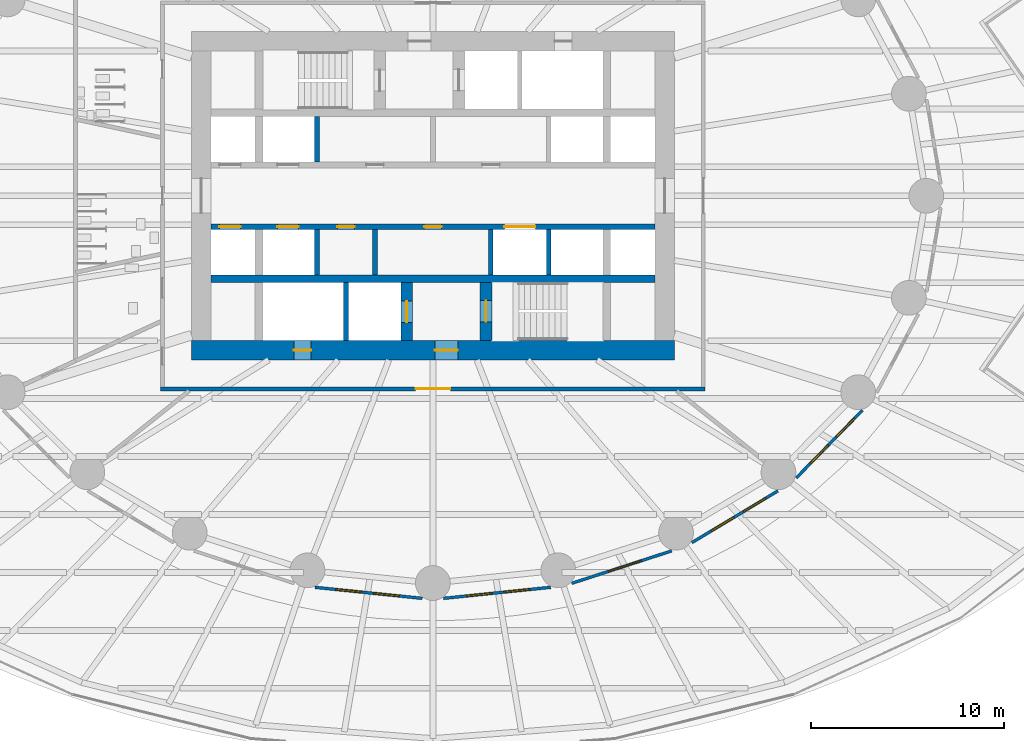
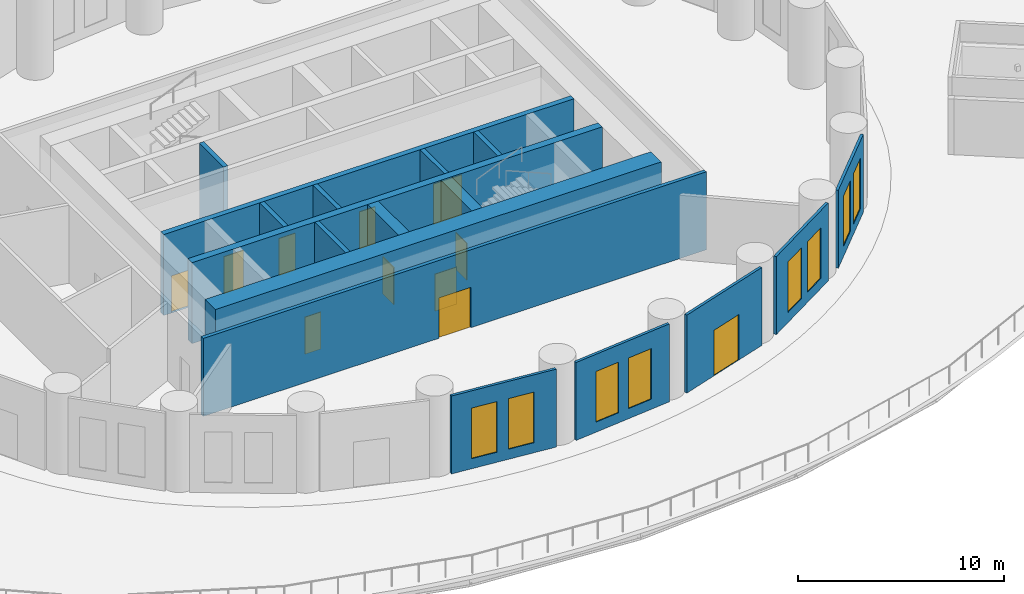
# One storey, part 8 of 17: 17 walls, 11 doors, 8 windows, 19 openings.
"""IFC4 building model written with IfcOpenShell, lengths in metres."""

from ifc_helpers import new_model, si_unit, direction, frame, frame_2d, origin, place, context, subcontext, project, spatial, rectangle, extrude, material, layer, layer_set, type_object, element, fill, save


model = new_model("IFC4")

# Units and contexts
model_context = context("Model", 3, precision=1e-05, world=origin(), true_north=direction((0.0, 1.0)))
body_context = subcontext(model_context, "Body", "Model", "MODEL_VIEW")
ifc_project = project(units=[si_unit("LENGTHUNIT", "METRE"), si_unit("AREAUNIT", "SQUARE_METRE"), si_unit("VOLUMEUNIT", "CUBIC_METRE"), si_unit("PLANEANGLEUNIT", "RADIAN"), si_unit("MASSUNIT", "GRAM", prefix="KILO")], contexts=[model_context])

# Site, building, storey
site_placement = place(None, origin())
site = spatial("IfcSite", under=ifc_project, at=site_placement, CompositionType="ELEMENT")
building_placement = place(site_placement, origin())
building = spatial("IfcBuilding", under=site, at=building_placement, Name="Hankou Lantern Tower", CompositionType="ELEMENT")
storey_placement = place(building_placement, frame((0.0, 0.0, 24.60009765625)))
storey = spatial("IfcBuildingStorey", under=building, at=storey_placement, Name="L04", CompositionType="ELEMENT", Elevation=24.60009765625)

# Wall, openings, doors
ifc_material_1 = material(Name="Concrete C60", Category="concrete")
ifc_layer_1 = layer(ifc_material_1, 1.0)
ifc_layer_set_1 = layer_set([ifc_layer_1], Name="Concrete C60")
wall_type_1 = type_object("IfcWallType", Name="CW1 CORE WALL 1000", PredefinedType="SHEAR", material=ifc_layer_set_1)
wall_1_placement = place(storey_placement, frame((12.5, -8.0, 0.0), z_axis=(0.0, 0.0, 1.0), x_axis=(-1.0, 0.0, 0.0)))
wall_1 = element("IfcWall", 1, at=wall_1_placement, inside=storey, type_object=wall_type_1, Name="Core wall south L04", PredefinedType="SHEAR", context=body_context, shape_type="SweptSolid", body=[
    extrude(rectangle(XDim=25.0, YDim=1.0, at=frame_2d((12.5, 0.0))), origin(), (0.0, 0.0, 1.0), 4.7998046875),
])
opening_1_placement = place(wall_1_placement, frame((11.199951171875, 0.0, 0.0)))
opening_1 = element("IfcOpeningElement", 2, at=opening_1_placement, cuts=wall_1, Name="Opening D5", PredefinedType="OPENING", context=body_context, shape_type="SweptSolid", body=[
    extrude(rectangle(XDim=1.199951171875, YDim=2.199951171875, at=frame_2d((0.60009765625, 1.10009765625))), frame((0.0, 0.510009765625, 0.0), z_axis=(0.0, -1.0, 0.0), x_axis=(1.0, 0.0, 0.0)), (0.0, 0.0, 1.0), 1.02001953125),
])
opening_2_placement = place(wall_1_placement, frame((18.800048828125, 0.0, 0.0)))
opening_2 = element("IfcOpeningElement", 3, at=opening_2_placement, cuts=wall_1, Name="Opening D7", PredefinedType="OPENING", context=body_context, shape_type="SweptSolid", body=[
    extrude(rectangle(XDim=0.89990234375, YDim=2.199951171875, at=frame_2d((0.449951171875, 1.10009765625))), frame((0.0, 0.510009765625, 0.0), z_axis=(0.0, -1.0, 0.0), x_axis=(1.0, 0.0, 0.0)), (0.0, 0.0, 1.0), 1.02001953125),
])
ifc_material_2 = material(Name="Steel door leaf", Category="steel")
door_type_1 = type_object("IfcDoorType", Name="D5 STAIR LOBBY DOOR 1200X2200", OperationType="SINGLE_SWING_LEFT", PredefinedType="DOOR", material=ifc_material_2)
door_1_placement = place(opening_1_placement, origin())
door_1 = element("IfcDoor", 4, at=door_1_placement, inside=storey, type_object=door_type_1, Name="Stair B lobby door", OperationType="SINGLE_SWING_LEFT", OverallHeight=2.199951171875, OverallWidth=1.199951171875, PredefinedType="DOOR", context=body_context, shape_type="SweptSolid", body=[
    extrude(rectangle(XDim=1.199951171875, YDim=2.199951171875, at=frame_2d((0.60009765625, 1.10009765625))), frame((0.0, 0.02490234375, 0.0), z_axis=(0.0, -1.0, 0.0), x_axis=(1.0, 0.0, 0.0)), (0.0, 0.0, 1.0), 0.050048828125),
])
fill(opening_1, door_1)
ifc_material_3 = material(Name="Steel door leaf", Category="steel")
door_type_2 = type_object("IfcDoorType", Name="D7 RISER DOOR 900X2200", OperationType="SINGLE_SWING_LEFT", PredefinedType="DOOR", material=ifc_material_3)
door_2_placement = place(opening_2_placement, origin())
door_2 = element("IfcDoor", 5, at=door_2_placement, inside=storey, type_object=door_type_2, Name="Riser S1 door", OperationType="SINGLE_SWING_RIGHT", OverallHeight=2.199951171875, OverallWidth=0.89990234375, PredefinedType="DOOR", context=body_context, shape_type="SweptSolid", body=[
    extrude(rectangle(XDim=0.89990234375, YDim=2.199951171875, at=frame_2d((0.449951171875, 1.10009765625))), frame((0.0, 0.02490234375, 0.0), z_axis=(0.0, -1.0, 0.0), x_axis=(1.0, 0.0, 0.0)), (0.0, 0.0, 1.0), 0.050048828125),
])
fill(opening_2, door_2)

# Wall
ifc_material_4 = material(Name="Concrete C60", Category="concrete")
ifc_layer_2 = layer(ifc_material_4, 0.39990234375)
ifc_layer_set_2 = layer_set([ifc_layer_2], Name="Concrete C60")
wall_type_2 = type_object("IfcWallType", Name="CW4 CORE CROSS WALL 400", PredefinedType="SHEAR", material=ifc_layer_set_2)
wall_2_placement = place(storey_placement, frame((-11.5, -4.300048828125, 0.0), z_axis=(0.0, 0.0, 1.0), x_axis=(1.0, 0.0, 0.0)))
element("IfcWall", 6, at=wall_2_placement, inside=storey, type_object=wall_type_2, Name="Core band wall south L04", PredefinedType="SHEAR", context=body_context, shape_type="SweptSolid", body=[
    extrude(rectangle(XDim=23.0, YDim=0.39990234375, at=frame_2d((11.5, 0.0))), origin(), (0.0, 0.0, 1.0), 4.7998046875),
])

# Wall, openings, doors
ifc_material_5 = material(Name="Concrete C60", Category="concrete")
ifc_layer_3 = layer(ifc_material_5, 0.300048828125)
ifc_layer_set_3 = layer_set([ifc_layer_3], Name="Concrete C60")
wall_type_3 = type_object("IfcWallType", Name="CW5 LIFT LOBBY WALL 300", PredefinedType="SHEAR", material=ifc_layer_set_3)
wall_3_placement = place(storey_placement, frame((-11.5, -1.60009765625, 0.0), z_axis=(0.0, 0.0, 1.0), x_axis=(1.0, 0.0, 0.0)))
wall_3 = element("IfcWall", 7, at=wall_3_placement, inside=storey, type_object=wall_type_3, Name="Lift lobby wall south L04", PredefinedType="SHEAR", context=body_context, shape_type="SweptSolid", body=[
    extrude(rectangle(XDim=23.0, YDim=0.300048828125, at=frame_2d((11.5, 0.0))), origin(), (0.0, 0.0, 1.0), 4.7998046875),
])
opening_3_placement = place(wall_3_placement, frame((0.449951171875, 0.0, 0.0)))
opening_3 = element("IfcOpeningElement", 8, at=opening_3_placement, cuts=wall_3, Name="Opening LD1", PredefinedType="OPENING", context=body_context, shape_type="SweptSolid", body=[
    extrude(rectangle(XDim=1.10009765625, YDim=2.199951171875, at=frame_2d((0.550048828125, 1.10009765625))), frame((0.0, 0.159912109375, 0.0), z_axis=(0.0, -1.0, 0.0), x_axis=(1.0, 0.0, 0.0)), (0.0, 0.0, 1.0), 0.320068359375),
])
opening_4_placement = place(wall_3_placement, frame((3.449951171875, 0.0, 0.0)))
opening_4 = element("IfcOpeningElement", 9, at=opening_4_placement, cuts=wall_3, Name="Opening LD1", PredefinedType="OPENING", context=body_context, shape_type="SweptSolid", body=[
    extrude(rectangle(XDim=1.10009765625, YDim=2.199951171875, at=frame_2d((0.550048828125, 1.10009765625))), frame((0.0, 0.159912109375, 0.0), z_axis=(0.0, -1.0, 0.0), x_axis=(1.0, 0.0, 0.0)), (0.0, 0.0, 1.0), 0.320068359375),
])
opening_5_placement = place(wall_3_placement, frame((15.199951171875, 0.0, 0.0)))
opening_5 = element("IfcOpeningElement", 10, at=opening_5_placement, cuts=wall_3, Name="Opening LD4", PredefinedType="OPENING", context=body_context, shape_type="SweptSolid", body=[
    extrude(rectangle(XDim=1.60009765625, YDim=2.39990234375, at=frame_2d((0.800048828125, 1.199951171875))), frame((0.0, 0.159912109375, 0.0), z_axis=(0.0, -1.0, 0.0), x_axis=(1.0, 0.0, 0.0)), (0.0, 0.0, 1.0), 0.320068359375),
])
opening_6_placement = place(wall_3_placement, frame((6.550048828125, 0.0, 0.0)))
opening_6 = element("IfcOpeningElement", 11, at=opening_6_placement, cuts=wall_3, Name="Opening D30", PredefinedType="OPENING", context=body_context, shape_type="SweptSolid", body=[
    extrude(rectangle(XDim=0.89990234375, YDim=2.199951171875, at=frame_2d((0.449951171875, 1.10009765625))), frame((0.0, 0.159912109375, 0.0), z_axis=(0.0, -1.0, 0.0), x_axis=(1.0, 0.0, 0.0)), (0.0, 0.0, 1.0), 0.320068359375),
])
opening_7_placement = place(wall_3_placement, frame((11.050048828125, 0.0, 0.0)))
opening_7 = element("IfcOpeningElement", 12, at=opening_7_placement, cuts=wall_3, Name="Opening D30", PredefinedType="OPENING", context=body_context, shape_type="SweptSolid", body=[
    extrude(rectangle(XDim=0.89990234375, YDim=2.199951171875, at=frame_2d((0.449951171875, 1.10009765625))), frame((0.0, 0.159912109375, 0.0), z_axis=(0.0, -1.0, 0.0), x_axis=(1.0, 0.0, 0.0)), (0.0, 0.0, 1.0), 0.320068359375),
])
ifc_material_6 = material(Name="Steel door leaf", Category="steel")
door_type_3 = type_object("IfcDoorType", Name="D30 CORE ROOM DOOR 900X2200", OperationType="SINGLE_SWING_LEFT", PredefinedType="DOOR", material=ifc_material_6)
door_3_placement = place(opening_6_placement, origin())
door_3 = element("IfcDoor", 13, at=door_3_placement, inside=storey, type_object=door_type_3, Name="Cleaner's store door", OperationType="SINGLE_SWING_LEFT", OverallHeight=2.199951171875, OverallWidth=0.89990234375, PredefinedType="DOOR", context=body_context, shape_type="SweptSolid", body=[
    extrude(rectangle(XDim=0.89990234375, YDim=2.199951171875, at=frame_2d((0.449951171875, 1.10009765625))), frame((0.0, 0.02490234375, 0.0), z_axis=(0.0, -1.0, 0.0), x_axis=(1.0, 0.0, 0.0)), (0.0, 0.0, 1.0), 0.050048828125),
])
fill(opening_6, door_3)
door_4_placement = place(opening_7_placement, origin())
door_4 = element("IfcDoor", 14, at=door_4_placement, inside=storey, type_object=door_type_3, Name="IT and telecoms room door", OperationType="SINGLE_SWING_LEFT", OverallHeight=2.199951171875, OverallWidth=0.89990234375, PredefinedType="DOOR", context=body_context, shape_type="SweptSolid", body=[
    extrude(rectangle(XDim=0.89990234375, YDim=2.199951171875, at=frame_2d((0.449951171875, 1.10009765625))), frame((0.0, 0.02490234375, 0.0), z_axis=(0.0, -1.0, 0.0), x_axis=(1.0, 0.0, 0.0)), (0.0, 0.0, 1.0), 0.050048828125),
])
fill(opening_7, door_4)
ifc_material_7 = material(Name="Steel door leaf", Category="steel")
door_type_4 = type_object("IfcDoorType", Name="LD1 LIFT LANDING DOOR 1100X2200", OperationType="DOUBLE_DOOR_SLIDING", PredefinedType="DOOR", material=ifc_material_7)
door_5_placement = place(opening_3_placement, origin())
door_5 = element("IfcDoor", 15, at=door_5_placement, inside=storey, type_object=door_type_4, Name="Lift L3 landing door", OperationType="DOUBLE_DOOR_SLIDING", OverallHeight=2.199951171875, OverallWidth=1.10009765625, PredefinedType="DOOR", context=body_context, shape_type="SweptSolid", body=[
    extrude(rectangle(XDim=1.10009765625, YDim=2.199951171875, at=frame_2d((0.550048828125, 1.10009765625))), frame((0.0, 0.02490234375, 0.0), z_axis=(0.0, -1.0, 0.0), x_axis=(1.0, 0.0, 0.0)), (0.0, 0.0, 1.0), 0.050048828125),
])
fill(opening_3, door_5)
door_6_placement = place(opening_4_placement, origin())
door_6 = element("IfcDoor", 16, at=door_6_placement, inside=storey, type_object=door_type_4, Name="Lift L4 landing door", OperationType="DOUBLE_DOOR_SLIDING", OverallHeight=2.199951171875, OverallWidth=1.10009765625, PredefinedType="DOOR", context=body_context, shape_type="SweptSolid", body=[
    extrude(rectangle(XDim=1.10009765625, YDim=2.199951171875, at=frame_2d((0.550048828125, 1.10009765625))), frame((0.0, 0.02490234375, 0.0), z_axis=(0.0, -1.0, 0.0), x_axis=(1.0, 0.0, 0.0)), (0.0, 0.0, 1.0), 0.050048828125),
])
fill(opening_4, door_6)
ifc_material_8 = material(Name="Steel door leaf", Category="steel")
door_type_5 = type_object("IfcDoorType", Name="LD4 SERVICE LIFT LANDING DOOR 1600X2400", OperationType="DOUBLE_DOOR_SLIDING", PredefinedType="DOOR", material=ifc_material_8)
door_7_placement = place(opening_5_placement, origin())
door_7 = element("IfcDoor", 17, at=door_7_placement, inside=storey, type_object=door_type_5, Name="Lift SV1 landing door", OperationType="DOUBLE_DOOR_SLIDING", OverallHeight=2.39990234375, OverallWidth=1.60009765625, PredefinedType="DOOR", context=body_context, shape_type="SweptSolid", body=[
    extrude(rectangle(XDim=1.60009765625, YDim=2.39990234375, at=frame_2d((0.800048828125, 1.199951171875))), frame((0.0, 0.02490234375, 0.0), z_axis=(0.0, -1.0, 0.0), x_axis=(1.0, 0.0, 0.0)), (0.0, 0.0, 1.0), 0.050048828125),
])
fill(opening_5, door_7)

# Wall, opening, door
ifc_material_9 = material(Name="Concrete C60", Category="concrete")
ifc_layer_4 = layer(ifc_material_9, 0.60009765625)
ifc_layer_set_4 = layer_set([ifc_layer_4], Name="Concrete C60")
wall_type_4 = type_object("IfcWallType", Name="CW6 STAIR AND SHAFT WALL 600", PredefinedType="SHEAR", material=ifc_layer_set_4)
wall_4_placement = place(storey_placement, frame((2.75, -7.5, 0.0), z_axis=(0.0, 0.0, 1.0), x_axis=(0.0, 1.0, 0.0)))
wall_4 = element("IfcWall", 18, at=wall_4_placement, inside=storey, type_object=wall_type_4, Name="Stair wall L04", PredefinedType="SHEAR", context=body_context, shape_type="SweptSolid", body=[
    extrude(rectangle(XDim=3.0, YDim=0.60009765625, at=frame_2d((1.5, 0.0))), origin(), (0.0, 0.0, 1.0), 4.7998046875),
])
opening_8_placement = place(wall_4_placement, frame((0.97509765625, 0.0, 0.0)))
opening_8 = element("IfcOpeningElement", 19, at=opening_8_placement, cuts=wall_4, Name="Opening D4", PredefinedType="OPENING", context=body_context, shape_type="SweptSolid", body=[
    extrude(rectangle(XDim=1.10009765625, YDim=2.199951171875, at=frame_2d((0.550048828125, 1.10009765625))), frame((0.0, 0.31005859375, 0.0), z_axis=(0.0, -1.0, 0.0), x_axis=(1.0, 0.0, 0.0)), (0.0, 0.0, 1.0), 0.6201171875),
])
ifc_material_10 = material(Name="Steel door leaf", Category="steel")
door_type_6 = type_object("IfcDoorType", Name="D4 STAIR DOOR 1100X2200", OperationType="SINGLE_SWING_LEFT", PredefinedType="DOOR", material=ifc_material_10)
door_8_placement = place(opening_8_placement, origin())
door_8 = element("IfcDoor", 20, at=door_8_placement, inside=storey, type_object=door_type_6, Name="Stair B door", OperationType="SINGLE_SWING_RIGHT", OverallHeight=2.199951171875, OverallWidth=1.10009765625, PredefinedType="DOOR", context=body_context, shape_type="SweptSolid", body=[
    extrude(rectangle(XDim=1.10009765625, YDim=2.199951171875, at=frame_2d((0.550048828125, 1.10009765625))), frame((0.0, 0.02490234375, 0.0), z_axis=(0.0, -1.0, 0.0), x_axis=(1.0, 0.0, 0.0)), (0.0, 0.0, 1.0), 0.050048828125),
])
fill(opening_8, door_8)

wall_5_placement = place(storey_placement, frame((-1.35009765625, -7.5, 0.0), z_axis=(0.0, 0.0, 1.0), x_axis=(0.0, 1.0, 0.0)))
wall_5 = element("IfcWall", 21, at=wall_5_placement, inside=storey, type_object=wall_type_4, Name="Firefighting lift shaft wall L04", PredefinedType="SHEAR", context=body_context, shape_type="SweptSolid", body=[
    extrude(rectangle(XDim=3.0, YDim=0.60009765625, at=frame_2d((1.5, 0.0))), origin(), (0.0, 0.0, 1.0), 4.7998046875),
])
opening_9_placement = place(wall_5_placement, frame((0.949951171875, 0.0, 0.0)))
opening_9 = element("IfcOpeningElement", 22, at=opening_9_placement, cuts=wall_5, Name="Opening LD2", PredefinedType="OPENING", context=body_context, shape_type="SweptSolid", body=[
    extrude(rectangle(XDim=1.10009765625, YDim=2.199951171875, at=frame_2d((0.550048828125, 1.10009765625))), frame((0.0, 0.31005859375, 0.0), z_axis=(0.0, -1.0, 0.0), x_axis=(1.0, 0.0, 0.0)), (0.0, 0.0, 1.0), 0.6201171875),
])
ifc_material_11 = material(Name="Steel door leaf", Category="steel")
door_type_7 = type_object("IfcDoorType", Name="LD2 FIREFIGHTING LIFT LANDING DOOR 1100X2200", OperationType="DOUBLE_DOOR_SLIDING", PredefinedType="DOOR", material=ifc_material_11)
door_9_placement = place(opening_9_placement, origin())
door_9 = element("IfcDoor", 23, at=door_9_placement, inside=storey, type_object=door_type_7, Name="Firefighting lift FL2 landing door", OperationType="DOUBLE_DOOR_SLIDING", OverallHeight=2.199951171875, OverallWidth=1.10009765625, PredefinedType="DOOR", context=body_context, shape_type="SweptSolid", body=[
    extrude(rectangle(XDim=1.10009765625, YDim=2.199951171875, at=frame_2d((0.550048828125, 1.10009765625))), frame((0.0, 0.02490234375, 0.0), z_axis=(0.0, -1.0, 0.0), x_axis=(1.0, 0.0, 0.0)), (0.0, 0.0, 1.0), 0.050048828125),
])
fill(opening_9, door_9)

# Wall, openings, windows
ifc_material_12 = material(Name="Aluminium spandrel panel on steel studs", Category="steel")
ifc_layer_5 = layer(ifc_material_12, 0.14990234375)
ifc_layer_set_5 = layer_set([ifc_layer_5], Name="Aluminium spandrel panel on steel studs")
wall_type_5 = type_object("IfcWallType", Name="EW1 INNER SKIN WALL 150", PredefinedType="ELEMENTEDWALL", material=ifc_layer_set_5)
wall_6_placement = place(storey_placement, frame((-6.09765625, -20.27099609375, 0.0), z_axis=(0.0, 0.0, 1.0), x_axis=(0.994723735084, -0.102589915983, 0.0)))
wall_6 = element("IfcWall", 24, at=wall_6_placement, inside=storey, type_object=wall_type_5, Name="Inner skin R18-R19 L04", PredefinedType="ELEMENTEDWALL", context=body_context, shape_type="SweptSolid", body=[
    extrude(rectangle(XDim=5.575927734375, YDim=0.14990234375, at=frame_2d((2.7880859375, 0.0))), origin(), (0.0, 0.0, 1.0), 4.619873046875),
])
opening_10_placement = place(wall_6_placement, frame((1.078857421875, 0.0, 0.60009765625)))
opening_10 = element("IfcOpeningElement", 25, at=opening_10_placement, cuts=wall_6, Name="Opening W5", PredefinedType="OPENING", context=body_context, shape_type="SweptSolid", body=[
    extrude(rectangle(XDim=1.35009765625, YDim=3.0, at=frame_2d((0.675048828125, 1.5))), frame((0.0, 0.0849609375, 0.0), z_axis=(0.0, -1.0, 0.0), x_axis=(1.0, 0.0, 0.0)), (0.0, 0.0, 1.0), 0.169921875),
])
opening_11_placement = place(wall_6_placement, frame((3.02880859375, 0.0, 0.60009765625)))
opening_11 = element("IfcOpeningElement", 26, at=opening_11_placement, cuts=wall_6, Name="Opening W5", PredefinedType="OPENING", context=body_context, shape_type="SweptSolid", body=[
    extrude(rectangle(XDim=1.35009765625, YDim=3.0, at=frame_2d((0.675048828125, 1.5))), frame((0.0, 0.0849609375, 0.0), z_axis=(0.0, -1.0, 0.0), x_axis=(1.0, 0.0, 0.0)), (0.0, 0.0, 1.0), 0.169921875),
])
ifc_material_13 = material(Name="Aluminium framed double glazed window", Category="aluminium")
window_type = type_object("IfcWindowType", Name="W5 AMENITY WINDOW 1350X3000", PartitioningType="DOUBLE_PANEL_VERTICAL", PredefinedType="WINDOW", material=ifc_material_13)
window_1_placement = place(opening_10_placement, origin())
window_1 = element("IfcWindow", 27, at=window_1_placement, inside=storey, type_object=window_type, Name="Window R18.1 L04", OverallHeight=3.0, OverallWidth=1.35009765625, PartitioningType="SINGLE_PANEL", PredefinedType="WINDOW", context=body_context, shape_type="SweptSolid", body=[
    extrude(rectangle(XDim=1.35009765625, YDim=3.0, at=frame_2d((0.675048828125, 1.5))), frame((0.0, 0.030029296875, 0.0), z_axis=(0.0, -1.0, 0.0), x_axis=(1.0, 0.0, 0.0)), (0.0, 0.0, 1.0), 0.06005859375),
])
fill(opening_10, window_1)
window_2_placement = place(opening_11_placement, origin())
window_2 = element("IfcWindow", 28, at=window_2_placement, inside=storey, type_object=window_type, Name="Window R18.2 L04", OverallHeight=3.0, OverallWidth=1.35009765625, PartitioningType="SINGLE_PANEL", PredefinedType="WINDOW", context=body_context, shape_type="SweptSolid", body=[
    extrude(rectangle(XDim=1.35009765625, YDim=3.0, at=frame_2d((0.675048828125, 1.5))), frame((0.0, 0.030029296875, 0.0), z_axis=(0.0, -1.0, 0.0), x_axis=(1.0, 0.0, 0.0)), (0.0, 0.0, 1.0), 0.06005859375),
])
fill(opening_11, window_2)

wall_7_placement = place(storey_placement, frame((0.55126953125, -20.843017578125, 0.0), z_axis=(0.0, 0.0, 1.0), x_axis=(0.994723735084, 0.102589915983, 0.0)))
wall_7 = element("IfcWall", 29, at=wall_7_placement, inside=storey, type_object=wall_type_5, Name="Inner skin R19-R20 L04", PredefinedType="ELEMENTEDWALL", context=body_context, shape_type="SweptSolid", body=[
    extrude(rectangle(XDim=5.575927734375, YDim=0.14990234375, at=frame_2d((2.7880859375, 0.0))), origin(), (0.0, 0.0, 1.0), 4.619873046875),
])
opening_12_placement = place(wall_7_placement, frame((1.19677734375, 0.0, 0.60009765625)))
opening_12 = element("IfcOpeningElement", 30, at=opening_12_placement, cuts=wall_7, Name="Opening W5", PredefinedType="OPENING", context=body_context, shape_type="SweptSolid", body=[
    extrude(rectangle(XDim=1.35009765625, YDim=3.0, at=frame_2d((0.675048828125, 1.5))), frame((0.0, 0.0849609375, 0.0), z_axis=(0.0, -1.0, 0.0), x_axis=(1.0, 0.0, 0.0)), (0.0, 0.0, 1.0), 0.169921875),
])
opening_13_placement = place(wall_7_placement, frame((3.146728515625, 0.0, 0.60009765625)))
opening_13 = element("IfcOpeningElement", 31, at=opening_13_placement, cuts=wall_7, Name="Opening W5", PredefinedType="OPENING", context=body_context, shape_type="SweptSolid", body=[
    extrude(rectangle(XDim=1.35009765625, YDim=3.0, at=frame_2d((0.675048828125, 1.5))), frame((0.0, 0.0849609375, 0.0), z_axis=(0.0, -1.0, 0.0), x_axis=(1.0, 0.0, 0.0)), (0.0, 0.0, 1.0), 0.169921875),
])
window_3_placement = place(opening_12_placement, origin())
window_3 = element("IfcWindow", 32, at=window_3_placement, inside=storey, type_object=window_type, Name="Window R19.1 L04", OverallHeight=3.0, OverallWidth=1.35009765625, PartitioningType="SINGLE_PANEL", PredefinedType="WINDOW", context=body_context, shape_type="SweptSolid", body=[
    extrude(rectangle(XDim=1.35009765625, YDim=3.0, at=frame_2d((0.675048828125, 1.5))), frame((0.0, 0.030029296875, 0.0), z_axis=(0.0, -1.0, 0.0), x_axis=(1.0, 0.0, 0.0)), (0.0, 0.0, 1.0), 0.06005859375),
])
fill(opening_12, window_3)
window_4_placement = place(opening_13_placement, origin())
window_4 = element("IfcWindow", 33, at=window_4_placement, inside=storey, type_object=window_type, Name="Window R19.2 L04", OverallHeight=3.0, OverallWidth=1.35009765625, PartitioningType="SINGLE_PANEL", PredefinedType="WINDOW", context=body_context, shape_type="SweptSolid", body=[
    extrude(rectangle(XDim=1.35009765625, YDim=3.0, at=frame_2d((0.675048828125, 1.5))), frame((0.0, 0.030029296875, 0.0), z_axis=(0.0, -1.0, 0.0), x_axis=(1.0, 0.0, 0.0)), (0.0, 0.0, 1.0), 0.06005859375),
])
fill(opening_13, window_4)

# Wall, opening, door
wall_8_placement = place(storey_placement, frame((7.188232421875, -20.06494140625, 0.0), z_axis=(0.0, 0.0, 1.0), x_axis=(0.951138486029, 0.308764603532, 0.0)))
wall_8 = element("IfcWall", 34, at=wall_8_placement, inside=storey, type_object=wall_type_5, Name="Inner skin R20-R21 L04", PredefinedType="ELEMENTEDWALL", context=body_context, shape_type="SweptSolid", body=[
    extrude(rectangle(XDim=5.444091796875, YDim=0.14990234375, at=frame_2d((2.72216796875, 0.0))), origin(), (0.0, 0.0, 1.0), 4.619873046875),
])
opening_14_placement = place(wall_8_placement, frame((1.984130859375, 0.0, 0.0)))
opening_14 = element("IfcOpeningElement", 35, at=opening_14_placement, cuts=wall_8, Name="Opening D17", PredefinedType="OPENING", context=body_context, shape_type="SweptSolid", body=[
    extrude(rectangle(XDim=1.800048828125, YDim=2.699951171875, at=frame_2d((0.89990234375, 1.35009765625))), frame((0.0, 0.0849609375, 0.0), z_axis=(0.0, -1.0, 0.0), x_axis=(1.0, 0.0, 0.0)), (0.0, 0.0, 1.0), 0.169921875),
])
ifc_material_14 = material(Name="Aluminium framed glazed door", Category="aluminium")
door_type_8 = type_object("IfcDoorType", Name="D17 TERRACE DOOR 1800X2700", OperationType="DOUBLE_DOOR_DOUBLE_SWING", PredefinedType="DOOR", material=ifc_material_14)
door_10_placement = place(opening_14_placement, origin())
door_10 = element("IfcDoor", 36, at=door_10_placement, inside=storey, type_object=door_type_8, Name="Terrace door R20", OperationType="DOUBLE_DOOR_DOUBLE_SWING", OverallHeight=2.699951171875, OverallWidth=1.800048828125, PredefinedType="DOOR", context=body_context, shape_type="SweptSolid", body=[
    extrude(rectangle(XDim=1.800048828125, YDim=2.699951171875, at=frame_2d((0.89990234375, 1.35009765625))), frame((0.0, 0.02490234375, 0.0), z_axis=(0.0, -1.0, 0.0), x_axis=(1.0, 0.0, 0.0)), (0.0, 0.0, 1.0), 0.050048828125),
])
fill(opening_14, door_10)

# Wall, openings, windows
wall_9_placement = place(storey_placement, frame((13.412109375, -17.957275390625, 0.0), z_axis=(0.0, 0.0, 1.0), x_axis=(0.856958191554, 0.515385931054, 0.0)))
wall_9 = element("IfcWall", 37, at=wall_9_placement, inside=storey, type_object=wall_type_5, Name="Inner skin R21-R22 L04", PredefinedType="ELEMENTEDWALL", context=body_context, shape_type="SweptSolid", body=[
    extrude(rectangle(XDim=5.201171875, YDim=0.14990234375, at=frame_2d((2.6005859375, 0.0))), origin(), (0.0, 0.0, 1.0), 4.619873046875),
])
opening_15_placement = place(wall_9_placement, frame((1.175048828125, 0.0, 0.60009765625)))
opening_15 = element("IfcOpeningElement", 38, at=opening_15_placement, cuts=wall_9, Name="Opening W5", PredefinedType="OPENING", context=body_context, shape_type="SweptSolid", body=[
    extrude(rectangle(XDim=1.35009765625, YDim=3.0, at=frame_2d((0.675048828125, 1.5))), frame((0.0, 0.0849609375, 0.0), z_axis=(0.0, -1.0, 0.0), x_axis=(1.0, 0.0, 0.0)), (0.0, 0.0, 1.0), 0.169921875),
])
opening_16_placement = place(wall_9_placement, frame((3.125, 0.0, 0.60009765625)))
opening_16 = element("IfcOpeningElement", 39, at=opening_16_placement, cuts=wall_9, Name="Opening W5", PredefinedType="OPENING", context=body_context, shape_type="SweptSolid", body=[
    extrude(rectangle(XDim=1.35009765625, YDim=3.0, at=frame_2d((0.675048828125, 1.5))), frame((0.0, 0.0849609375, 0.0), z_axis=(0.0, -1.0, 0.0), x_axis=(1.0, 0.0, 0.0)), (0.0, 0.0, 1.0), 0.169921875),
])
window_5_placement = place(opening_15_placement, origin())
window_5 = element("IfcWindow", 40, at=window_5_placement, inside=storey, type_object=window_type, Name="Window R21.1 L04", OverallHeight=3.0, OverallWidth=1.35009765625, PartitioningType="SINGLE_PANEL", PredefinedType="WINDOW", context=body_context, shape_type="SweptSolid", body=[
    extrude(rectangle(XDim=1.35009765625, YDim=3.0, at=frame_2d((0.675048828125, 1.5))), frame((0.0, 0.030029296875, 0.0), z_axis=(0.0, -1.0, 0.0), x_axis=(1.0, 0.0, 0.0)), (0.0, 0.0, 1.0), 0.06005859375),
])
fill(opening_15, window_5)
window_6_placement = place(opening_16_placement, origin())
window_6 = element("IfcWindow", 41, at=window_6_placement, inside=storey, type_object=window_type, Name="Window R21.2 L04", OverallHeight=3.0, OverallWidth=1.35009765625, PartitioningType="SINGLE_PANEL", PredefinedType="WINDOW", context=body_context, shape_type="SweptSolid", body=[
    extrude(rectangle(XDim=1.35009765625, YDim=3.0, at=frame_2d((0.675048828125, 1.5))), frame((0.0, 0.030029296875, 0.0), z_axis=(0.0, -1.0, 0.0), x_axis=(1.0, 0.0, 0.0)), (0.0, 0.0, 1.0), 0.06005859375),
])
fill(opening_16, window_6)

wall_10_placement = place(storey_placement, frame((18.8134765625, -14.606689453125, 0.0), z_axis=(0.0, 0.0, 1.0), x_axis=(0.699612594083, 0.714522370679, 0.0)))
wall_10 = element("IfcWall", 42, at=wall_10_placement, inside=storey, type_object=wall_type_5, Name="Inner skin R22-R23 L04", PredefinedType="ELEMENTEDWALL", context=body_context, shape_type="SweptSolid", body=[
    extrude(rectangle(XDim=4.89599609375, YDim=0.14990234375, at=frame_2d((2.447998046875, 0.0))), origin(), (0.0, 0.0, 1.0), 4.619873046875),
])
opening_17_placement = place(wall_10_placement, frame((1.02685546875, 0.0, 0.60009765625)))
opening_17 = element("IfcOpeningElement", 43, at=opening_17_placement, cuts=wall_10, Name="Opening W5", PredefinedType="OPENING", context=body_context, shape_type="SweptSolid", body=[
    extrude(rectangle(XDim=1.35009765625, YDim=3.0, at=frame_2d((0.675048828125, 1.5))), frame((0.0, 0.0849609375, 0.0), z_axis=(0.0, -1.0, 0.0), x_axis=(1.0, 0.0, 0.0)), (0.0, 0.0, 1.0), 0.169921875),
])
opening_18_placement = place(wall_10_placement, frame((2.976806640625, 0.0, 0.60009765625)))
opening_18 = element("IfcOpeningElement", 44, at=opening_18_placement, cuts=wall_10, Name="Opening W5", PredefinedType="OPENING", context=body_context, shape_type="SweptSolid", body=[
    extrude(rectangle(XDim=1.35009765625, YDim=3.0, at=frame_2d((0.675048828125, 1.5))), frame((0.0, 0.0849609375, 0.0), z_axis=(0.0, -1.0, 0.0), x_axis=(1.0, 0.0, 0.0)), (0.0, 0.0, 1.0), 0.169921875),
])
window_7_placement = place(opening_17_placement, origin())
window_7 = element("IfcWindow", 45, at=window_7_placement, inside=storey, type_object=window_type, Name="Window R22.1 L04", OverallHeight=3.0, OverallWidth=1.35009765625, PartitioningType="SINGLE_PANEL", PredefinedType="WINDOW", context=body_context, shape_type="SweptSolid", body=[
    extrude(rectangle(XDim=1.35009765625, YDim=3.0, at=frame_2d((0.675048828125, 1.5))), frame((0.0, 0.030029296875, 0.0), z_axis=(0.0, -1.0, 0.0), x_axis=(1.0, 0.0, 0.0)), (0.0, 0.0, 1.0), 0.06005859375),
])
fill(opening_17, window_7)
window_8_placement = place(opening_18_placement, origin())
window_8 = element("IfcWindow", 46, at=window_8_placement, inside=storey, type_object=window_type, Name="Window R22.2 L04", OverallHeight=3.0, OverallWidth=1.35009765625, PartitioningType="SINGLE_PANEL", PredefinedType="WINDOW", context=body_context, shape_type="SweptSolid", body=[
    extrude(rectangle(XDim=1.35009765625, YDim=3.0, at=frame_2d((0.675048828125, 1.5))), frame((0.0, 0.030029296875, 0.0), z_axis=(0.0, -1.0, 0.0), x_axis=(1.0, 0.0, 0.0)), (0.0, 0.0, 1.0), 0.06005859375),
])
fill(opening_18, window_8)

# Wall, opening, door
ifc_material_15 = material(Name="Masonry lightweight concrete block", Category="masonry")
ifc_layer_6 = layer(ifc_material_15, 0.199951171875)
ifc_layer_set_6 = layer_set([ifc_layer_6], Name="Masonry lightweight concrete block")
wall_type_6 = type_object("IfcWallType", Name="IW2 CORRIDOR WALL 200", PredefinedType="PARTITIONING", material=ifc_layer_set_6)
wall_11_placement = place(storey_placement, frame((14.10009765625, -10.0, 0.0), z_axis=(0.0, 0.0, 1.0), x_axis=(-1.0, 0.0, 0.0)))
wall_11 = element("IfcWall", 47, at=wall_11_placement, inside=storey, type_object=wall_type_6, Name="Corridor wall south", PredefinedType="PARTITIONING", context=body_context, shape_type="SweptSolid", body=[
    extrude(rectangle(XDim=28.2001953125, YDim=0.199951171875, at=frame_2d((14.10009765625, 0.0))), origin(), (0.0, 0.0, 1.0), 4.619873046875),
])
opening_19_placement = place(wall_11_placement, frame((13.199951171875, 0.0, 0.0)))
opening_19 = element("IfcOpeningElement", 48, at=opening_19_placement, cuts=wall_11, Name="Opening D8", PredefinedType="OPENING", context=body_context, shape_type="SweptSolid", body=[
    extrude(rectangle(XDim=1.800048828125, YDim=2.39990234375, at=frame_2d((0.89990234375, 1.199951171875))), frame((0.0, 0.10986328125, 0.0), z_axis=(0.0, -1.0, 0.0), x_axis=(1.0, 0.0, 0.0)), (0.0, 0.0, 1.0), 0.219970703125),
])
ifc_material_16 = material(Name="Steel door leaf", Category="steel")
door_type_9 = type_object("IfcDoorType", Name="D8 DOUBLE DOOR 1800X2400", OperationType="DOUBLE_DOOR_DOUBLE_SWING", PredefinedType="DOOR", material=ifc_material_16)
door_11_placement = place(opening_19_placement, origin())
door_11 = element("IfcDoor", 49, at=door_11_placement, inside=storey, type_object=door_type_9, Name="Residents lounge door", OperationType="DOUBLE_DOOR_DOUBLE_SWING", OverallHeight=2.39990234375, OverallWidth=1.800048828125, PredefinedType="DOOR", context=body_context, shape_type="SweptSolid", body=[
    extrude(rectangle(XDim=1.800048828125, YDim=2.39990234375, at=frame_2d((0.89990234375, 1.199951171875))), frame((0.0, 0.02490234375, 0.0), z_axis=(0.0, -1.0, 0.0), x_axis=(1.0, 0.0, 0.0)), (0.0, 0.0, 1.0), 0.050048828125),
])
fill(opening_19, door_11)

# Walls
ifc_material_17 = material(Name="Masonry autoclaved aerated concrete block", Category="masonry")
ifc_layer_7 = layer(ifc_material_17, 0.25)
ifc_layer_set_7 = layer_set([ifc_layer_7], Name="Masonry autoclaved aerated concrete block")
wall_type_7 = type_object("IfcWallType", Name="SW1 SHAFT BLOCK WALL 250", PredefinedType="PARTITIONING", material=ifc_layer_set_7)
wall_12_placement = place(storey_placement, frame((-4.5, -7.5, 0.0), z_axis=(0.0, 0.0, 1.0), x_axis=(0.0, 1.0, 0.0)))
element("IfcWall", 50, at=wall_12_placement, inside=storey, type_object=wall_type_7, Name="Riser wall L04", PredefinedType="PARTITIONING", context=body_context, shape_type="SweptSolid", body=[
    extrude(rectangle(XDim=3.0, YDim=0.25, at=frame_2d((1.5, 0.0))), origin(), (0.0, 0.0, 1.0), 4.7998046875),
])
for number, where, z_axis, x_axis, name in (
    (51, (-6.0, 1.75, 0.0), (0.0, 0.0, 1.0), (0.0, 1.0, 0.0), "Lift shaft wall L04"),
    (52, (-6.0, -4.10009765625, 0.0), (0.0, 0.0, 1.0), (0.0, 1.0, 0.0), "Lift shaft wall L04"),
    (53, (-3.0, -4.10009765625, 0.0), (0.0, 0.0, 1.0), (0.0, 1.0, 0.0), "Lift shaft wall L04"),
    (54, (3.0, -4.10009765625, 0.0), (0.0, 0.0, 1.0), (0.0, 1.0, 0.0), "Lift shaft wall L04"),
    (55, (6.0, -4.10009765625, 0.0), (0.0, 0.0, 1.0), (0.0, 1.0, 0.0), "Lift shaft wall L04"),
):
    element("IfcWall", number, at=place(storey_placement, frame(where, z_axis=z_axis, x_axis=x_axis)), inside=storey, type_object=wall_type_7, Name=name, PredefinedType="PARTITIONING", context=body_context, shape_type="SweptSolid", body=[
        extrude(rectangle(XDim=2.35009765625, YDim=0.25, at=frame_2d((1.175048828125, 0.0))), origin(), (0.0, 0.0, 1.0), 4.7998046875),
    ])

save(model, "model.ifc")
